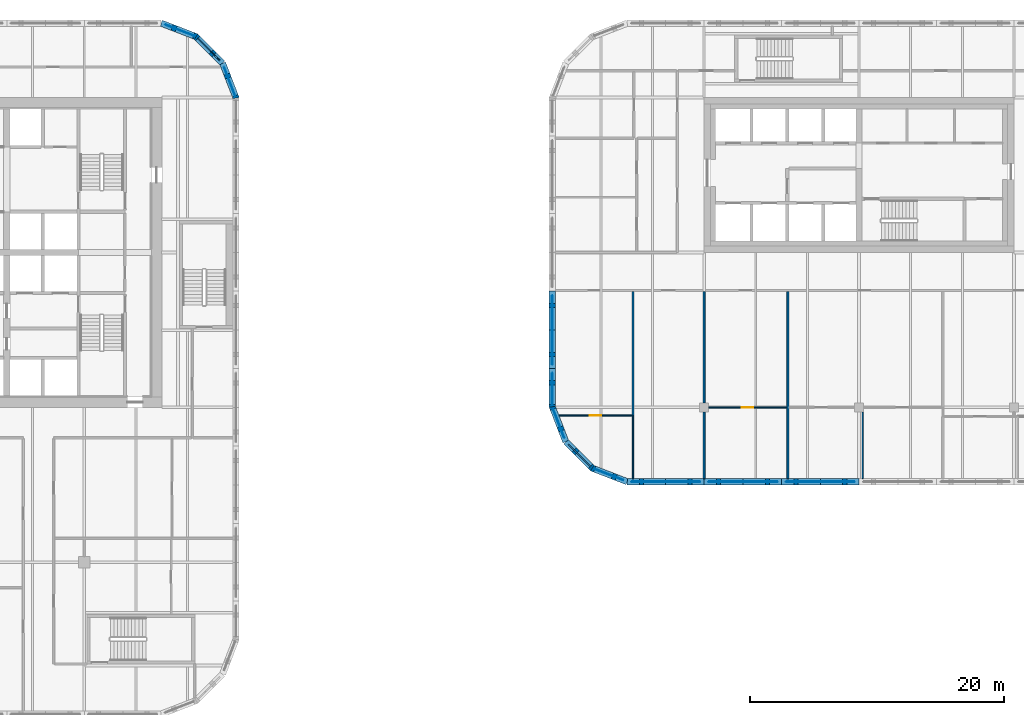
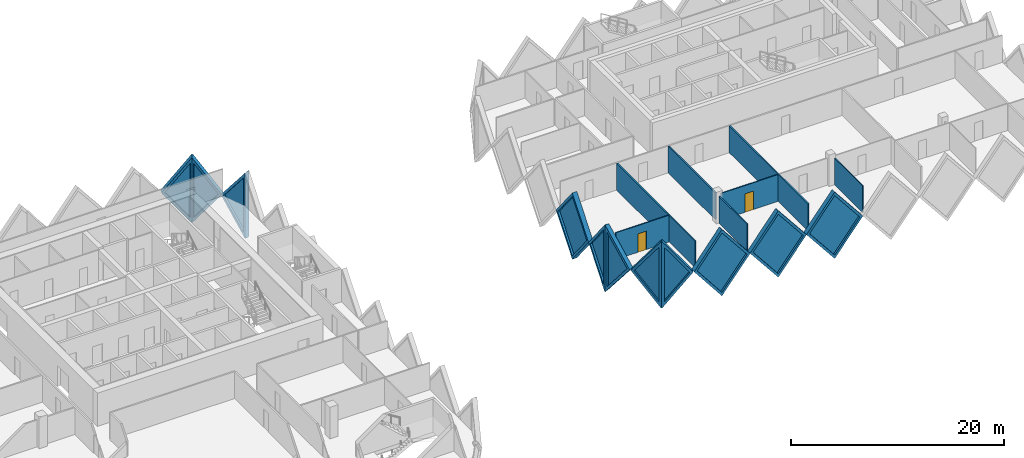
# One storey, part 11 of 19: 19 walls, 11 plates, 2 doors, 13 openings.
"""IFC4 building model written with IfcOpenShell, lengths in metres."""

from ifc_helpers import new_model, si_unit, direction, frame, frame_2d, origin, place, context, subcontext, project, spatial, polyline, rectangle, outline, extrude, faceted_brep, source, transform, mapped, material, layer, layer_set, type_object, element, fill, save


model = new_model("IFC4")

# Units and contexts
model_context = context("Model", 3, precision=1e-05, world=origin(), true_north=direction((0.0, 1.0)))
body_context = subcontext(model_context, "Body", "Model", "MODEL_VIEW")
ifc_project = project(units=[si_unit("LENGTHUNIT", "METRE"), si_unit("AREAUNIT", "SQUARE_METRE"), si_unit("VOLUMEUNIT", "CUBIC_METRE"), si_unit("PLANEANGLEUNIT", "RADIAN"), si_unit("MASSUNIT", "GRAM", prefix="KILO")], contexts=[model_context])

# Site, building, storey
site_placement = place(None, origin())
site = spatial("IfcSite", under=ifc_project, at=site_placement, CompositionType="ELEMENT")
building_placement = place(site_placement, origin())
building = spatial("IfcBuilding", under=site, at=building_placement, Name="Tessera Gate Towers", CompositionType="ELEMENT")
storey_placement = place(building_placement, frame((0.0, 0.0, 87.60009765625)))
storey = spatial("IfcBuildingStorey", under=building, at=storey_placement, Name="L21", CompositionType="ELEMENT", Elevation=87.60009765625)

# Wall
ifc_material_1 = material(Name="Glass", Category="glass")
ifc_layer_1 = layer(ifc_material_1, 0.10009765625)
ifc_layer_set_1 = layer_set([ifc_layer_1], Name="GLAZED PARTITION 100")
wall_type_1 = type_object("IfcWallType", Name="GLAZED PARTITION 100", PredefinedType="PARTITIONING", material=ifc_layer_set_1)
wall_1_placement = place(storey_placement, frame((92.0, 18.800048828125, 0.0), z_axis=(0.0, 0.0, 1.0), x_axis=(0.0, 1.0, 0.0)))
element("IfcWall", 1, at=wall_1_placement, inside=storey, type_object=wall_type_1, Name="T2-L21-PW-001", PredefinedType="PARTITIONING", context=body_context, shape_type="SweptSolid", body=[
    extrude(rectangle(XDim=4.953857421875, YDim=0.10009765625, at=frame_2d((2.47705078125, 0.0))), origin(), (0.0, 0.0, 1.0), 3.06689453125),
])

# Wall, opening, door
wall_2_placement = place(storey_placement, frame((91.924072265625, 23.7548828125, 0.0), z_axis=(0.0, 0.0, 1.0), x_axis=(-1.0, 0.0, 0.0)))
wall_2 = element("IfcWall", 2, at=wall_2_placement, inside=storey, type_object=wall_type_1, Name="T2-L21-PW-013", PredefinedType="PARTITIONING", context=body_context, shape_type="SweptSolid", body=[
    extrude(rectangle(XDim=5.7392578125, YDim=0.10009765625, at=frame_2d((2.86962890625, 0.0))), origin(), (0.0, 0.0, 1.0), 3.06689453125),
])
shared_shape_1 = source(origin(), body_context, "Body", "SweptSolid", [
    extrude(rectangle(XDim=0.89990234375, YDim=2.10009765625, at=frame_2d((0.449951171875, 1.050048828125))), frame((0.0, 0.06005859375, 0.0), z_axis=(0.0, -1.0, 0.0), x_axis=(1.0, 0.0, 0.0)), (0.0, 0.0, 1.0), 0.1201171875),
])
opening_1_placement = place(wall_2_placement, frame((2.439208984375, 0.0, 0.0)))
opening_1 = element("IfcOpeningElement", 3, at=opening_1_placement, cuts=wall_2, Name="Opening D690-B09-02", PredefinedType="OPENING", context=body_context, shape_type="MappedRepresentation", body=[
    mapped(shared_shape_1, transform((0.0, 0.0, 0.0), scale=1.0)),
])
ifc_material_2 = material(Name="Glass in aluminium frame", Category="aluminium")
door_type_1 = type_object("IfcDoorType", Name="GLAZED DOOR 900 NOT RATED", OperationType="NOTDEFINED", PredefinedType="DOOR", material=ifc_material_2)
shared_shape_2 = source(origin(), body_context, "Body", "SweptSolid", [
    extrude(rectangle(XDim=0.89990234375, YDim=2.10009765625, at=frame_2d((0.449951171875, 1.050048828125))), frame((0.0, 0.02490234375, 0.0), z_axis=(0.0, -1.0, 0.0), x_axis=(1.0, 0.0, 0.0)), (0.0, 0.0, 1.0), 0.050048828125),
])
door_1_placement = place(opening_1_placement, origin())
door_1 = element("IfcDoor", 4, at=door_1_placement, inside=storey, type_object=door_type_1, Name="T2-L21-PD-015", OperationType="SINGLE_SWING_RIGHT", OverallHeight=2.10009765625, OverallWidth=0.89990234375, PredefinedType="DOOR", context=body_context, shape_type="MappedRepresentation", body=[
    mapped(shared_shape_2, transform((0.0, 0.0, 0.0), scale=1.0)),
])
fill(opening_1, door_1)

# Wall
ifc_material_3 = material(Name="Gypsum board on steel studs", Category="steel")
ifc_layer_2 = layer(ifc_material_3, 0.10009765625)
ifc_layer_set_2 = layer_set([ifc_layer_2], Name="PARTITION 100")
wall_type_2 = type_object("IfcWallType", Name="PARTITION 100", PredefinedType="PARTITIONING", material=ifc_layer_set_2)
wall_3_placement = place(storey_placement, frame((110.093994140625, 18.800048828125, 0.0), z_axis=(0.0, 0.0, 1.0), x_axis=(0.0, 1.0, 0.0)))
element("IfcWall", 5, at=wall_3_placement, inside=storey, type_object=wall_type_2, Name="T2-L21-PW-004", PredefinedType="PARTITIONING", context=body_context, shape_type="SweptSolid", body=[
    extrude(rectangle(XDim=5.2490234375, YDim=0.10009765625, at=frame_2d((2.62451171875, 0.0))), origin(), (0.0, 0.0, 1.0), 3.06689453125),
])

# Wall, opening, door
wall_4_placement = place(storey_placement, frame((104.1240234375, 24.39990234375, 0.0), z_axis=(0.0, 0.0, 1.0), x_axis=(-1.0, 0.0, 0.0)))
wall_4 = element("IfcWall", 6, at=wall_4_placement, inside=storey, type_object=wall_type_2, Name="T2-L21-PW-016", PredefinedType="PARTITIONING", context=body_context, shape_type="SweptSolid", body=[
    extrude(rectangle(XDim=6.173095703125, YDim=0.10009765625, at=frame_2d((3.08642578125, 0.0))), origin(), (0.0, 0.0, 1.0), 3.06689453125),
])
opening_2_placement = place(wall_4_placement, frame((2.673095703125, 0.0, 0.0)))
opening_2 = element("IfcOpeningElement", 7, at=opening_2_placement, cuts=wall_4, Name="Opening D190-B09-09", PredefinedType="OPENING", context=body_context, shape_type="MappedRepresentation", body=[
    mapped(shared_shape_1, transform((0.0, 0.0, 0.0), scale=1.0)),
])
ifc_material_4 = material(Name="Timber door leaf in steel frame", Category="steel")
door_type_2 = type_object("IfcDoorType", Name="INTERNAL DOOR 900 NOT RATED", OperationType="NOTDEFINED", PredefinedType="DOOR", material=ifc_material_4)
door_2_placement = place(opening_2_placement, origin())
door_2 = element("IfcDoor", 8, at=door_2_placement, inside=storey, type_object=door_type_2, Name="T2-L21-PD-018", OperationType="SINGLE_SWING_RIGHT", OverallHeight=2.10009765625, OverallWidth=0.89990234375, PredefinedType="DOOR", context=body_context, shape_type="MappedRepresentation", body=[
    mapped(shared_shape_2, transform((0.0, 0.0, 0.0), scale=1.0)),
])
fill(opening_2, door_2)

# Walls
ifc_material_5 = material(Name="Gypsum board on steel studs, mineral wool", Category="steel")
ifc_layer_3 = layer(ifc_material_5, 0.14990234375)
ifc_layer_set_3 = layer_set([ifc_layer_3], Name="TENANCY WALL 150")
wall_type_3 = type_object("IfcWallType", Name="TENANCY WALL 150", PredefinedType="PARTITIONING", material=ifc_layer_set_3)
wall_5_placement = place(storey_placement, frame((97.60009765625, 18.800048828125, 0.0), z_axis=(0.0, 0.0, 1.0), x_axis=(0.0, 1.0, 0.0)))
element("IfcWall", 9, at=wall_5_placement, inside=storey, type_object=wall_type_3, Name="T2-L21-PW-002", PredefinedType="PARTITIONING", context=body_context, shape_type="SweptSolid", body=[
    extrude(rectangle(XDim=5.2490234375, YDim=0.14990234375, at=frame_2d((2.62451171875, 0.0))), origin(), (0.0, 0.0, 1.0), 3.06689453125),
])
wall_6_placement = place(storey_placement, frame((104.199951171875, 18.800048828125, 0.0), z_axis=(0.0, 0.0, 1.0), x_axis=(0.0, 1.0, 0.0)))
element("IfcWall", 10, at=wall_6_placement, inside=storey, type_object=wall_type_3, Name="T2-L21-PW-003", PredefinedType="PARTITIONING", context=body_context, shape_type="SweptSolid", body=[
    extrude(rectangle(XDim=14.723876953125, YDim=0.14990234375, at=frame_2d((7.36181640625, 0.0))), origin(), (0.0, 0.0, 1.0), 3.06689453125),
])
wall_7_placement = place(storey_placement, frame((92.0, 23.7548828125, 0.0), z_axis=(0.0, 0.0, 1.0), x_axis=(0.0, 1.0, 0.0)))
element("IfcWall", 11, at=wall_7_placement, inside=storey, type_object=wall_type_3, Name="T2-L21-PW-014", PredefinedType="PARTITIONING", context=body_context, shape_type="SweptSolid", body=[
    extrude(rectangle(XDim=9.76904296875, YDim=0.14990234375, at=frame_2d((4.884521484375, 0.0))), origin(), (0.0, 0.0, 1.0), 3.06689453125),
])
wall_8_placement = place(storey_placement, frame((97.60009765625, 24.7509765625, 0.0), z_axis=(0.0, 0.0, 1.0), x_axis=(0.0, 1.0, 0.0)))
element("IfcWall", 12, at=wall_8_placement, inside=storey, type_object=wall_type_3, Name="T2-L21-PW-020", PredefinedType="PARTITIONING", context=body_context, shape_type="SweptSolid", body=[
    extrude(rectangle(XDim=8.77294921875, YDim=0.14990234375, at=frame_2d((4.386474609375, 0.0))), origin(), (0.0, 0.0, 1.0), 3.06689453125),
])

# Wall, opening, plate
ifc_material_6 = material(Name="Precast concrete C60/75 white", Category="concrete")
ifc_layer_4 = layer(ifc_material_6, 0.5)
ifc_layer_set_4 = layer_set([ifc_layer_4], Name="TS1 tessera")
wall_type_4 = type_object("IfcWallType", Name="TS1 tessera", PredefinedType="SOLIDWALL", material=ifc_layer_set_4)
shared_shape_3 = source(origin(), body_context, "Body", "Brep", [
    faceted_brep([(3.00341796875, -0.25, 0.0), (6.053466796875, -0.25, 3.800048828125), (3.00341796875, -0.25, 7.599853515625), (0.0, -0.25, 3.800048828125), (0.046630859375, 0.25, 3.85888671875), (3.00341796875, 0.25, 7.599853515625), (6.053466796875, 0.25, 3.800048828125), (3.00341796875, 0.25, 0.0), (0.046630859375, 0.25, 3.7412109375), (0.0, 0.0, 3.800048828125)], [[[0, 1, 2, 3]], [[4, 5, 6, 7, 8]], [[7, 6, 1, 0]], [[6, 5, 2, 1]], [[5, 4, 9, 3, 2]], [[8, 7, 0, 3, 9]], [[8, 9, 4]]]),
])
wall_9_placement = place(storey_placement, frame((91.546630859375, 18.550048828125, -3.800048828125), z_axis=(0.0, 0.0, 1.0), x_axis=(1.0, 0.0, 0.0)))
wall_9 = element("IfcWall", 13, at=wall_9_placement, inside=storey, type_object=wall_type_4, Name="Precast tessera T2 TS1-0252", PredefinedType="SOLIDWALL", context=body_context, shape_type="MappedRepresentation", body=[
    mapped(shared_shape_3, transform((0.0, 0.0, 0.0), scale=1.0)),
])
shared_shape_4 = source(origin(), body_context, "Body", "SweptSolid", [
    extrude(outline(polyline([(3.0048828125, 0.401123046875), (5.73291015625, 3.800048828125), (3.0048828125, 7.19873046875), (0.318603515625, 3.800048828125), (3.0048828125, 0.401123046875)])), frame((0.0, 0.260009765625, 0.0), z_axis=(0.0, -1.0, 0.0), x_axis=(1.0, 0.0, 0.0)), (0.0, 0.0, 1.0), 0.52001953125),
])
opening_3_placement = place(wall_9_placement, origin())
opening_3 = element("IfcOpeningElement", 14, at=opening_3_placement, cuts=wall_9, Name="Opening T2-PL2-0476", PredefinedType="OPENING", context=body_context, shape_type="MappedRepresentation", body=[
    mapped(shared_shape_4, transform((0.0, 0.0, 0.0), scale=1.0)),
])
ifc_material_7 = material(Name="Low-e laminated glass", Category="glass")
ifc_layer_5 = layer(ifc_material_7, 0.06005859375)
ifc_layer_set_5 = layer_set([ifc_layer_5], Name="PL2 rhombic pane")
plate_type = type_object("IfcPlateType", Name="PL2 rhombic pane", PredefinedType="SHEET", material=ifc_layer_set_5)
shared_shape_5 = source(origin(), body_context, "Body", "SweptSolid", [
    extrude(outline(polyline([(3.0048828125, 0.401123046875), (5.73291015625, 3.800048828125), (3.0048828125, 7.19873046875), (0.318603515625, 3.800048828125), (3.0048828125, 0.401123046875)])), frame((0.0, 0.030029296875, 0.0), z_axis=(0.0, -1.0, 0.0), x_axis=(1.0, 0.0, 0.0)), (0.0, 0.0, 1.0), 0.06005859375),
])
plate_1_placement = place(opening_3_placement, origin())
plate_1 = element("IfcPlate", 15, at=plate_1_placement, inside=storey, type_object=plate_type, Name="Glass pane T2 PL2-0476", PredefinedType="SHEET", context=body_context, shape_type="MappedRepresentation", body=[
    mapped(shared_shape_5, transform((0.0, 0.0, 0.0), scale=1.0)),
])
fill(opening_3, plate_1)

shared_shape_6 = source(origin(), body_context, "Body", "Brep", [
    faceted_brep([(3.050048828125, -0.25, 0.0), (6.099853515625, -0.25, 3.7998046875), (6.099853515625, -0.25, 3.80029296875), (3.050048828125, -0.25, 7.599853515625), (0.0, -0.25, 3.800048828125), (0.0, 0.25, 3.800048828125), (3.050048828125, 0.25, 7.599853515625), (6.099853515625, 0.25, 3.80029296875), (6.099853515625, 0.25, 3.7998046875), (3.050048828125, 0.25, 0.0)], [[[0, 1, 2, 3, 4]], [[5, 6, 7, 8, 9]], [[9, 8, 1, 0]], [[7, 6, 3, 2]], [[6, 5, 4, 3]], [[5, 9, 0, 4]], [[1, 8, 7, 2]]]),
])
wall_10_placement = place(storey_placement, frame((97.60009765625, 18.550048828125, -3.800048828125), z_axis=(0.0, 0.0, 1.0), x_axis=(1.0, 0.0, 0.0)))
wall_10 = element("IfcWall", 16, at=wall_10_placement, inside=storey, type_object=wall_type_4, Name="Precast tessera T2 TS1-0253", PredefinedType="SOLIDWALL", context=body_context, shape_type="MappedRepresentation", body=[
    mapped(shared_shape_6, transform((0.0, 0.0, 0.0), scale=1.0)),
])
shared_shape_7 = source(origin(), body_context, "Body", "SweptSolid", [
    extrude(outline(polyline([(3.050048828125, 0.3994140625), (5.779541015625, 3.800048828125), (3.050048828125, 7.200439453125), (0.320556640625, 3.800048828125), (3.050048828125, 0.3994140625)])), frame((0.0, 0.260009765625, 0.0), z_axis=(0.0, -1.0, 0.0), x_axis=(1.0, 0.0, 0.0)), (0.0, 0.0, 1.0), 0.52001953125),
])
opening_4_placement = place(wall_10_placement, origin())
opening_4 = element("IfcOpeningElement", 17, at=opening_4_placement, cuts=wall_10, Name="Opening T2-PL2-0477", PredefinedType="OPENING", context=body_context, shape_type="MappedRepresentation", body=[
    mapped(shared_shape_7, transform((0.0, 0.0, 0.0), scale=1.0)),
])
shared_shape_8 = source(origin(), body_context, "Body", "SweptSolid", [
    extrude(outline(polyline([(3.050048828125, 0.3994140625), (5.779541015625, 3.800048828125), (3.050048828125, 7.200439453125), (0.320556640625, 3.800048828125), (3.050048828125, 0.3994140625)])), frame((0.0, 0.030029296875, 0.0), z_axis=(0.0, -1.0, 0.0), x_axis=(1.0, 0.0, 0.0)), (0.0, 0.0, 1.0), 0.06005859375),
])
plate_2_placement = place(opening_4_placement, origin())
plate_2 = element("IfcPlate", 18, at=plate_2_placement, inside=storey, type_object=plate_type, Name="Glass pane T2 PL2-0477", PredefinedType="SHEET", context=body_context, shape_type="MappedRepresentation", body=[
    mapped(shared_shape_8, transform((0.0, 0.0, 0.0), scale=1.0)),
])
fill(opening_4, plate_2)

shared_shape_9 = source(origin(), body_context, "Body", "SweptSolid", [
    extrude(outline(polyline([(3.050048828125, 0.0), (6.10009765625, 3.800048828125), (3.050048828125, 7.599853515625), (0.0, 3.800048828125), (3.050048828125, 0.0)])), frame((0.0, 0.25, 0.0), z_axis=(0.0, -1.0, 0.0), x_axis=(1.0, 0.0, 0.0)), (0.0, 0.0, 1.0), 0.5),
])
wall_11_placement = place(storey_placement, frame((103.699951171875, 18.550048828125, -3.800048828125), z_axis=(0.0, 0.0, 1.0), x_axis=(1.0, 0.0, 0.0)))
wall_11 = element("IfcWall", 19, at=wall_11_placement, inside=storey, type_object=wall_type_4, Name="Precast tessera T2 TS1-0254", PredefinedType="SOLIDWALL", context=body_context, shape_type="MappedRepresentation", body=[
    mapped(shared_shape_9, transform((0.0, 0.0, 0.0), scale=1.0)),
])
opening_5_placement = place(wall_11_placement, origin())
opening_5 = element("IfcOpeningElement", 20, at=opening_5_placement, cuts=wall_11, Name="Opening T2-PL2-0478", PredefinedType="OPENING", context=body_context, shape_type="MappedRepresentation", body=[
    mapped(shared_shape_7, transform((0.0, 0.0, 0.0), scale=1.0)),
])
plate_3_placement = place(opening_5_placement, origin())
plate_3 = element("IfcPlate", 21, at=plate_3_placement, inside=storey, type_object=plate_type, Name="Glass pane T2 PL2-0478", PredefinedType="SHEET", context=body_context, shape_type="MappedRepresentation", body=[
    mapped(shared_shape_8, transform((0.0, 0.0, 0.0), scale=1.0)),
])
fill(opening_5, plate_3)

wall_12_placement = place(storey_placement, frame((85.64990234375, 33.550048828125, -3.800048828125), z_axis=(0.0, 0.0, 1.0), x_axis=(0.0, -1.0, 0.0)))
wall_12 = element("IfcWall", 22, at=wall_12_placement, inside=storey, type_object=wall_type_4, Name="Precast tessera T2 TS1-0269", PredefinedType="SOLIDWALL", context=body_context, shape_type="MappedRepresentation", body=[
    mapped(shared_shape_9, transform((0.0, 0.0, 0.0), scale=1.0)),
])
opening_6_placement = place(wall_12_placement, origin())
opening_6 = element("IfcOpeningElement", 23, at=opening_6_placement, cuts=wall_12, Name="Opening T2-PL2-0505", PredefinedType="OPENING", context=body_context, shape_type="MappedRepresentation", body=[
    mapped(shared_shape_7, transform((0.0, 0.0, 0.0), scale=1.0)),
])
plate_4_placement = place(opening_6_placement, origin())
plate_4 = element("IfcPlate", 24, at=plate_4_placement, inside=storey, type_object=plate_type, Name="Glass pane T2 PL2-0505", PredefinedType="SHEET", context=body_context, shape_type="MappedRepresentation", body=[
    mapped(shared_shape_8, transform((0.0, 0.0, 0.0), scale=1.0)),
])
fill(opening_6, plate_4)

ifc_material_8 = material(Name="Precast concrete C60/75 white", Category="concrete")
ifc_layer_6 = layer(ifc_material_8, 0.5)
ifc_layer_set_6 = layer_set([ifc_layer_6], Name="TS3 corner tessera")
wall_type_5 = type_object("IfcWallType", Name="TS3 corner tessera", PredefinedType="SOLIDWALL", material=ifc_layer_set_6)
shared_shape_10 = source(origin(), body_context, "Body", "Brep", [
    faceted_brep([(3.00341796875, -0.25, 0.0), (3.050048828125, -0.25, 0.06005859375), (3.050048828125, -0.25, 7.539794921875), (3.00341796875, -0.25, 7.599853515625), (0.0, -0.25, 3.800048828125), (0.0, 0.25, 3.800048828125), (2.956787109375, 0.25, 7.541015625), (2.956787109375, 0.25, 0.058837890625), (3.00341796875, 0.000244140625, 0.0), (3.00341796875, 0.000244140625, 7.599853515625)], [[[0, 1, 2, 3, 4]], [[5, 6, 7]], [[1, 0, 8]], [[9, 3, 2]], [[6, 5, 4, 3, 9]], [[5, 7, 8, 0, 4]], [[1, 8, 7, 6, 9, 2]]]),
])
wall_13_placement = place(storey_placement, frame((85.64990234375, 27.449951171875, -3.800048828125), z_axis=(0.0, 0.0, 1.0), x_axis=(0.0, -1.0, 0.0)))
wall_13 = element("IfcWall", 25, at=wall_13_placement, inside=storey, type_object=wall_type_5, Name="Precast corner tessera T2 TS3-0317", PredefinedType="SOLIDWALL", context=body_context, shape_type="MappedRepresentation", body=[
    mapped(shared_shape_10, transform((0.0, 0.0, 0.0), scale=1.0)),
])
shared_shape_11 = source(origin(), body_context, "Body", "SweptSolid", [
    extrude(outline(polyline([(2.803466796875, 6.94384765625), (0.318603515625, 3.800048828125), (2.803466796875, 0.65625), (2.803466796875, 6.94384765625)])), frame((0.0, 0.260009765625, 0.0), z_axis=(0.0, -1.0, 0.0), x_axis=(1.0, 0.0, 0.0)), (0.0, 0.0, 1.0), 0.52001953125),
])
opening_7_placement = place(wall_13_placement, origin())
opening_7 = element("IfcOpeningElement", 26, at=opening_7_placement, cuts=wall_13, Name="Opening T2-PL2-0506", PredefinedType="OPENING", context=body_context, shape_type="MappedRepresentation", body=[
    mapped(shared_shape_11, transform((0.0, 0.0, 0.0), scale=1.0)),
])
shared_shape_12 = source(origin(), body_context, "Body", "SweptSolid", [
    extrude(outline(polyline([(2.803466796875, 6.94384765625), (0.318603515625, 3.800048828125), (2.803466796875, 0.65625), (2.803466796875, 6.94384765625)])), frame((0.0, 0.030029296875, 0.0), z_axis=(0.0, -1.0, 0.0), x_axis=(1.0, 0.0, 0.0)), (0.0, 0.0, 1.0), 0.06005859375),
])
plate_5_placement = place(opening_7_placement, origin())
plate_5 = element("IfcPlate", 27, at=plate_5_placement, inside=storey, type_object=plate_type, Name="Glass pane T2 PL2-0506", PredefinedType="SHEET", context=body_context, shape_type="MappedRepresentation", body=[
    mapped(shared_shape_12, transform((0.0, 0.0, 0.0), scale=1.0)),
])
fill(opening_7, plate_5)

shared_shape_13 = source(origin(), body_context, "Body", "Brep", [
    faceted_brep([(0.046630859375, -0.25, 0.0), (2.9970703125, -0.25, 3.800048828125), (0.046630859375, -0.25, 7.599853515625), (0.0, -0.25, 7.541015625), (0.0, -0.25, 0.058837890625), (0.09326171875, 0.25, 7.539794921875), (2.9443359375, 0.25, 3.8681640625), (2.9443359375, 0.25, 3.73193359375), (0.09326171875, 0.25, 0.06005859375), (2.9970703125, 0.00048828125, 3.800048828125), (0.046630859375, 0.0, 0.0), (0.046630859375, 0.0, 7.599853515625)], [[[0, 1, 2, 3, 4]], [[5, 6, 7, 8]], [[8, 7, 9, 1, 0, 10]], [[6, 5, 11, 2, 1, 9]], [[3, 2, 11]], [[10, 0, 4]], [[8, 10, 4, 3, 11, 5]], [[7, 6, 9]]]),
])
wall_14_placement = place(storey_placement, frame((60.766845703125, 48.7099609375, -3.800048828125), z_axis=(0.0, 0.0, 1.0), x_axis=(-0.359901446078, 0.932990326376, 0.0)))
wall_14 = element("IfcWall", 28, at=wall_14_placement, inside=storey, type_object=wall_type_5, Name="Precast corner tessera T1 TS3-0462", PredefinedType="SOLIDWALL", context=body_context, shape_type="MappedRepresentation", body=[
    mapped(shared_shape_13, transform((0.0, 0.0, 0.0), scale=1.0)),
])
shared_shape_14 = source(origin(), body_context, "Body", "SweptSolid", [
    extrude(outline(polyline([(0.24658203125, 0.665283203125), (2.6806640625, 3.800048828125), (0.24658203125, 6.934814453125), (0.24658203125, 0.665283203125)])), frame((0.0, 0.260009765625, 0.0), z_axis=(0.0, -1.0, 0.0), x_axis=(1.0, 0.0, 0.0)), (0.0, 0.0, 1.0), 0.52001953125),
])
opening_8_placement = place(wall_14_placement, origin())
opening_8 = element("IfcOpeningElement", 29, at=opening_8_placement, cuts=wall_14, Name="Opening T1-PL2-0673", PredefinedType="OPENING", context=body_context, shape_type="MappedRepresentation", body=[
    mapped(shared_shape_14, transform((0.0, 0.0, 0.0), scale=1.0)),
])
shared_shape_15 = source(origin(), body_context, "Body", "SweptSolid", [
    extrude(outline(polyline([(0.24658203125, 0.665283203125), (2.6806640625, 3.800048828125), (0.24658203125, 6.934814453125), (0.24658203125, 0.665283203125)])), frame((0.0, 0.030029296875, 0.0), z_axis=(0.0, -1.0, 0.0), x_axis=(1.0, 0.0, 0.0)), (0.0, 0.0, 1.0), 0.06005859375),
])
plate_6_placement = place(opening_8_placement, origin())
plate_6 = element("IfcPlate", 30, at=plate_6_placement, inside=storey, type_object=plate_type, Name="Glass pane T1 PL2-0673", PredefinedType="SHEET", context=body_context, shape_type="MappedRepresentation", body=[
    mapped(shared_shape_15, transform((0.0, 0.0, 0.0), scale=1.0)),
])
fill(opening_8, plate_6)

wall_15_placement = place(storey_placement, frame((85.63330078125, 24.489990234375, -3.800048828125), z_axis=(0.0, 0.0, 1.0), x_axis=(0.359901446078, -0.932990326376, 0.0)))
wall_15 = element("IfcWall", 31, at=wall_15_placement, inside=storey, type_object=wall_type_5, Name="Precast corner tessera T2 TS3-0318", PredefinedType="SOLIDWALL", context=body_context, shape_type="MappedRepresentation", body=[
    mapped(shared_shape_13, transform((0.0, 0.0, 0.0), scale=1.0)),
])
opening_9_placement = place(wall_15_placement, origin())
opening_9 = element("IfcOpeningElement", 32, at=opening_9_placement, cuts=wall_15, Name="Opening T2-PL2-0507", PredefinedType="OPENING", context=body_context, shape_type="MappedRepresentation", body=[
    mapped(shared_shape_14, transform((0.0, 0.0, 0.0), scale=1.0)),
])
plate_7_placement = place(opening_9_placement, origin())
plate_7 = element("IfcPlate", 33, at=plate_7_placement, inside=storey, type_object=plate_type, Name="Glass pane T2 PL2-0507", PredefinedType="SHEET", context=body_context, shape_type="MappedRepresentation", body=[
    mapped(shared_shape_15, transform((0.0, 0.0, 0.0), scale=1.0)),
])
fill(opening_9, plate_7)

shared_shape_16 = source(origin(), body_context, "Body", "Brep", [
    faceted_brep([(2.944091796875, -0.25, 0.0), (2.9970703125, -0.25, 0.068115234375), (2.9970703125, -0.25, 7.53173828125), (2.944091796875, -0.25, 7.599853515625), (0.0, -0.25, 3.800048828125), (0.052978515625, 0.25, 3.868408203125), (2.89111328125, 0.25, 7.53173828125), (2.89111328125, 0.25, 0.068115234375), (0.052978515625, 0.25, 3.731689453125), (2.944091796875, 0.000244140625, 0.0), (2.944091796875, 0.000244140625, 7.599853515625), (0.0, 0.0, 3.800048828125)], [[[0, 1, 2, 3, 4]], [[5, 6, 7, 8]], [[1, 0, 9]], [[10, 3, 2]], [[6, 5, 11, 4, 3, 10]], [[8, 7, 9, 0, 4, 11]], [[8, 11, 5]], [[1, 9, 7, 6, 10, 2]]]),
])
wall_16_placement = place(storey_placement, frame((59.68798828125, 51.50634765625, -3.800048828125), z_axis=(0.0, 0.0, 1.0), x_axis=(-0.707106781187, 0.707106781187, 0.0)))
wall_16 = element("IfcWall", 34, at=wall_16_placement, inside=storey, type_object=wall_type_5, Name="Precast corner tessera T1 TS3-0463", PredefinedType="SOLIDWALL", context=body_context, shape_type="MappedRepresentation", body=[
    mapped(shared_shape_16, transform((0.0, 0.0, 0.0), scale=1.0)),
])
shared_shape_17 = source(origin(), body_context, "Body", "SweptSolid", [
    extrude(outline(polyline([(2.744140625, 6.93359375), (0.316162109375, 3.800048828125), (2.744140625, 0.666259765625), (2.744140625, 6.93359375)])), frame((0.0, 0.260009765625, 0.0), z_axis=(0.0, -1.0, 0.0), x_axis=(1.0, 0.0, 0.0)), (0.0, 0.0, 1.0), 0.52001953125),
])
opening_10_placement = place(wall_16_placement, origin())
opening_10 = element("IfcOpeningElement", 35, at=opening_10_placement, cuts=wall_16, Name="Opening T1-PL2-0674", PredefinedType="OPENING", context=body_context, shape_type="MappedRepresentation", body=[
    mapped(shared_shape_17, transform((0.0, 0.0, 0.0), scale=1.0)),
])
shared_shape_18 = source(origin(), body_context, "Body", "SweptSolid", [
    extrude(outline(polyline([(2.744140625, 6.93359375), (0.316162109375, 3.800048828125), (2.744140625, 0.666259765625), (2.744140625, 6.93359375)])), frame((0.0, 0.030029296875, 0.0), z_axis=(0.0, -1.0, 0.0), x_axis=(1.0, 0.0, 0.0)), (0.0, 0.0, 1.0), 0.06005859375),
])
plate_8_placement = place(opening_10_placement, origin())
plate_8 = element("IfcPlate", 36, at=plate_8_placement, inside=storey, type_object=plate_type, Name="Glass pane T1 PL2-0674", PredefinedType="SHEET", context=body_context, shape_type="MappedRepresentation", body=[
    mapped(shared_shape_18, transform((0.0, 0.0, 0.0), scale=1.0)),
])
fill(opening_10, plate_8)

shared_shape_19 = source(origin(), body_context, "Body", "Brep", [
    faceted_brep([(0.052978515625, -0.25, 0.0), (3.00341796875, -0.25, 3.800048828125), (0.052978515625, -0.25, 7.599853515625), (0.0, -0.25, 7.531494140625), (0.0, -0.25, 0.068359375), (0.10595703125, 0.25, 7.53173828125), (2.95703125, 0.25, 3.85986328125), (2.95703125, 0.25, 3.740234375), (0.10595703125, 0.25, 0.068115234375), (3.00341796875, 0.00048828125, 3.800048828125), (0.052978515625, 0.0, 0.0), (0.052978515625, 0.0, 7.599853515625)], [[[0, 1, 2, 3, 4]], [[5, 6, 7, 8]], [[8, 7, 9, 1, 0, 10]], [[6, 5, 11, 2, 1, 9]], [[3, 2, 11]], [[10, 0, 4]], [[8, 10, 4, 3, 11, 5]], [[7, 6, 9]]]),
])
wall_17_placement = place(storey_placement, frame((57.65576171875, 53.569091796875, -3.800048828125), z_axis=(0.0, 0.0, 1.0), x_axis=(-0.933007896601, 0.359855894603, 0.0)))
wall_17 = element("IfcWall", 37, at=wall_17_placement, inside=storey, type_object=wall_type_5, Name="Precast corner tessera T1 TS3-0464", PredefinedType="SOLIDWALL", context=body_context, shape_type="MappedRepresentation", body=[
    mapped(shared_shape_19, transform((0.0, 0.0, 0.0), scale=1.0)),
])
shared_shape_20 = source(origin(), body_context, "Body", "SweptSolid", [
    extrude(outline(polyline([(0.2529296875, 0.665283203125), (2.68701171875, 3.800048828125), (0.2529296875, 6.934814453125), (0.2529296875, 0.665283203125)])), frame((0.0, 0.260009765625, 0.0), z_axis=(0.0, -1.0, 0.0), x_axis=(1.0, 0.0, 0.0)), (0.0, 0.0, 1.0), 0.52001953125),
])
opening_11_placement = place(wall_17_placement, origin())
opening_11 = element("IfcOpeningElement", 38, at=opening_11_placement, cuts=wall_17, Name="Opening T1-PL2-0675", PredefinedType="OPENING", context=body_context, shape_type="MappedRepresentation", body=[
    mapped(shared_shape_20, transform((0.0, 0.0, 0.0), scale=1.0)),
])
shared_shape_21 = source(origin(), body_context, "Body", "SweptSolid", [
    extrude(outline(polyline([(0.2529296875, 0.665283203125), (2.68701171875, 3.800048828125), (0.2529296875, 6.934814453125), (0.2529296875, 0.665283203125)])), frame((0.0, 0.030029296875, 0.0), z_axis=(0.0, -1.0, 0.0), x_axis=(1.0, 0.0, 0.0)), (0.0, 0.0, 1.0), 0.06005859375),
])
plate_9_placement = place(opening_11_placement, origin())
plate_9 = element("IfcPlate", 39, at=plate_9_placement, inside=storey, type_object=plate_type, Name="Glass pane T1 PL2-0675", PredefinedType="SHEET", context=body_context, shape_type="MappedRepresentation", body=[
    mapped(shared_shape_21, transform((0.0, 0.0, 0.0), scale=1.0)),
])
fill(opening_11, plate_9)

shared_shape_22 = source(origin(), body_context, "Body", "Brep", [
    faceted_brep([(2.944091796875, -0.25, 0.0), (2.9970703125, -0.25, 0.068115234375), (2.9970703125, -0.25, 7.53173828125), (2.944091796875, -0.25, 7.599853515625), (0.0, -0.25, 3.800048828125), (0.052978515625, 0.25, 3.868408203125), (2.89111328125, 0.25, 7.53173828125), (2.89111328125, 0.25, 0.068115234375), (0.052978515625, 0.25, 3.731689453125), (2.944091796875, 0.000244140625, 0.0), (2.944091796875, 0.000244140625, 7.599853515625), (0.0, 0.0, 3.800048828125)], [[[0, 1, 2, 3, 4]], [[5, 6, 7, 8]], [[1, 0, 9]], [[10, 3, 2]], [[6, 5, 11, 4, 3, 10]], [[8, 7, 9, 0, 4, 11]], [[8, 11, 5]], [[1, 9, 7, 6, 10, 2]]]),
])
wall_18_placement = place(storey_placement, frame((86.7119140625, 21.69384765625, -3.800048828125), z_axis=(0.0, 0.0, 1.0), x_axis=(0.707066050402, -0.707147509625, 0.0)))
wall_18 = element("IfcWall", 40, at=wall_18_placement, inside=storey, type_object=wall_type_5, Name="Precast corner tessera T2 TS3-0319", PredefinedType="SOLIDWALL", context=body_context, shape_type="MappedRepresentation", body=[
    mapped(shared_shape_22, transform((0.0, 0.0, 0.0), scale=1.0)),
])
opening_12_placement = place(wall_18_placement, origin())
opening_12 = element("IfcOpeningElement", 41, at=opening_12_placement, cuts=wall_18, Name="Opening T2-PL2-0508", PredefinedType="OPENING", context=body_context, shape_type="MappedRepresentation", body=[
    mapped(shared_shape_17, transform((0.0, 0.0, 0.0), scale=1.0)),
])
plate_10_placement = place(opening_12_placement, origin())
plate_10 = element("IfcPlate", 42, at=plate_10_placement, inside=storey, type_object=plate_type, Name="Glass pane T2 PL2-0508", PredefinedType="SHEET", context=body_context, shape_type="MappedRepresentation", body=[
    mapped(shared_shape_18, transform((0.0, 0.0, 0.0), scale=1.0)),
])
fill(opening_12, plate_10)

shared_shape_23 = source(origin(), body_context, "Body", "Brep", [
    faceted_brep([(0.052978515625, -0.25, 0.0), (3.00341796875, -0.25, 3.800048828125), (0.052978515625, -0.25, 7.599853515625), (0.0, -0.25, 7.531494140625), (0.0, -0.25, 0.068359375), (0.10595703125, 0.25, 7.53173828125), (2.95703125, 0.25, 3.85986328125), (2.95703125, 0.25, 3.740234375), (0.10595703125, 0.25, 0.068115234375), (3.00341796875, 0.00048828125, 3.800048828125), (0.052978515625, 0.0, 0.0), (0.052978515625, 0.0, 7.599853515625)], [[[0, 1, 2, 3, 4]], [[5, 6, 7, 8]], [[8, 7, 9, 1, 0, 10]], [[6, 5, 11, 2, 1, 9]], [[3, 2, 11]], [[10, 0, 4]], [[8, 10, 4, 3, 11, 5]], [[7, 6, 9]]]),
])
wall_19_placement = place(storey_placement, frame((88.744384765625, 19.630859375, -3.800048828125), z_axis=(0.0, 0.0, 1.0), x_axis=(0.932997369089, -0.359883188373, 0.0)))
wall_19 = element("IfcWall", 43, at=wall_19_placement, inside=storey, type_object=wall_type_5, Name="Precast corner tessera T2 TS3-0320", PredefinedType="SOLIDWALL", context=body_context, shape_type="MappedRepresentation", body=[
    mapped(shared_shape_23, transform((0.0, 0.0, 0.0), scale=1.0)),
])
opening_13_placement = place(wall_19_placement, origin())
opening_13 = element("IfcOpeningElement", 44, at=opening_13_placement, cuts=wall_19, Name="Opening T2-PL2-0509", PredefinedType="OPENING", context=body_context, shape_type="MappedRepresentation", body=[
    mapped(shared_shape_20, transform((0.0, 0.0, 0.0), scale=1.0)),
])
plate_11_placement = place(opening_13_placement, origin())
plate_11 = element("IfcPlate", 45, at=plate_11_placement, inside=storey, type_object=plate_type, Name="Glass pane T2 PL2-0509", PredefinedType="SHEET", context=body_context, shape_type="MappedRepresentation", body=[
    mapped(shared_shape_21, transform((0.0, 0.0, 0.0), scale=1.0)),
])
fill(opening_13, plate_11)

save(model, "model.ifc")
